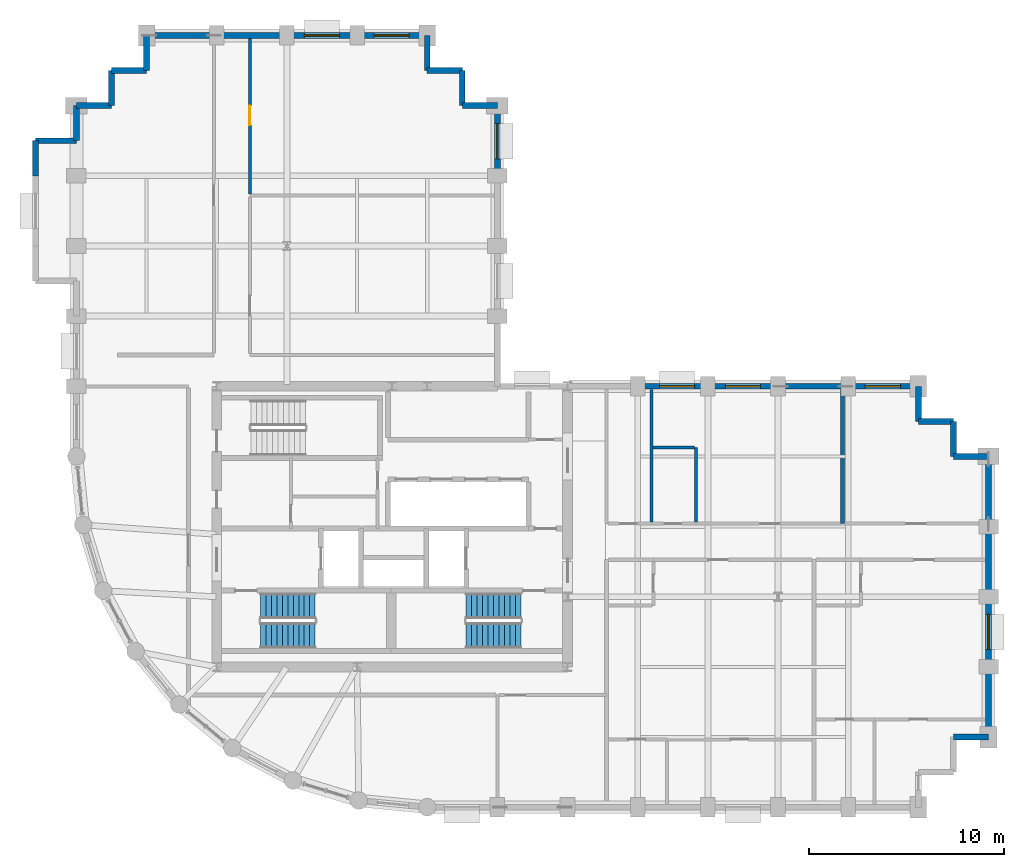
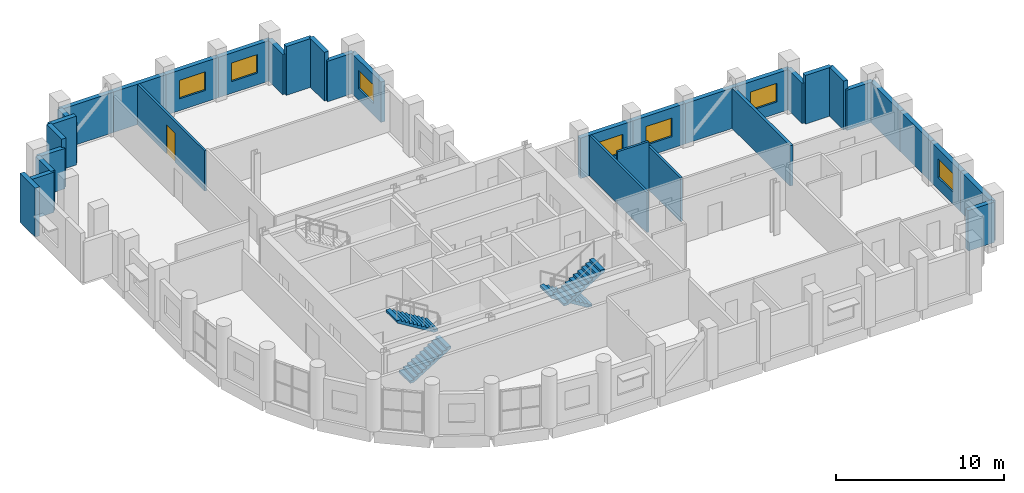
# One storey, part 11 of 14: 34 walls, 7 windows, 4 stair flights, 1 door, 8 openings, 2 elements without a shape of their own.
"""IFC4 building model written with IfcOpenShell, lengths in metres."""

from ifc_helpers import new_model, si_unit, direction, frame, frame_2d, origin, place, context, subcontext, project, spatial, polyline, rectangle, outline, extrude, material, layer, layer_set, type_object, element, fill, aggregate, save


model = new_model("IFC4")

# Units and contexts
model_context = context("Model", 3, precision=1e-05, world=origin(), true_north=direction((0.0, 1.0)))
body_context = subcontext(model_context, "Body", "Model", "MODEL_VIEW")
ifc_project = project(units=[si_unit("LENGTHUNIT", "METRE"), si_unit("AREAUNIT", "SQUARE_METRE"), si_unit("VOLUMEUNIT", "CUBIC_METRE"), si_unit("PLANEANGLEUNIT", "RADIAN"), si_unit("MASSUNIT", "GRAM", prefix="KILO")], contexts=[model_context])

# Site, building, storey
site_placement = place(None, origin())
site = spatial("IfcSite", under=ifc_project, at=site_placement, CompositionType="ELEMENT")
building_placement = place(site_placement, origin())
building = spatial("IfcBuilding", under=site, at=building_placement, Name="Solnavia Interchange Tower", CompositionType="ELEMENT")
storey_placement = place(building_placement, frame((0.0, 0.0, 158.0)))
storey = spatial("IfcBuildingStorey", under=building, at=storey_placement, Name="L39", CompositionType="ELEMENT", Elevation=158.0)

# Walls
ifc_material_1 = material(Name="Gypsum Acoustic Twin-Stud & Mineral Wool", Category="gypsum")
ifc_layer_1 = layer(ifc_material_1, 0.199951171875)
ifc_layer_set_1 = layer_set([ifc_layer_1], Name="Gypsum Acoustic Twin-Stud & Mineral Wool")
wall_type_1 = type_object("IfcWallType", Name="Wall-ApartmentParty-200", PredefinedType="PARTITIONING", material=ifc_layer_set_1)
wall_1_placement = place(storey_placement, frame((46.5, 18.14990234375, 0.0), z_axis=(0.0, 0.0, 1.0), x_axis=(0.0, 1.0, 0.0)))
element("IfcWall", 1, at=wall_1_placement, inside=storey, type_object=wall_type_1, Name="PTW-L39-28 Interior partition wall", PredefinedType="PARTITIONING", context=body_context, shape_type="SweptSolid", body=[
    extrude(rectangle(XDim=6.89599609375, YDim=0.199951171875, at=frame_2d((3.447998046875, 0.0))), origin(), (0.0, 0.0, 1.0), 2.929931640625),
])
ifc_material_2 = material(Name="Concrete C40/50", Category="concrete")
ifc_layer_2 = layer(ifc_material_2, 0.300048828125)
ifc_layer_set_2 = layer_set([ifc_layer_2], Name="Concrete C40/50")
wall_type_2 = type_object("IfcWallType", Name="Wall-ExtSpandrel-300", PredefinedType="STANDARD", material=ifc_layer_set_2)
wall_2_placement = place(storey_placement, frame((54.0, 7.199951171875, 0.0), z_axis=(0.0, 0.0, 1.0), x_axis=(-1.0, 0.0, 0.0)))
element("IfcWall", 2, at=wall_2_placement, inside=storey, type_object=wall_type_2, Name="EXW-L39-11 Exterior precast spandrel wall", PredefinedType="STANDARD", context=body_context, shape_type="SweptSolid", body=[
    extrude(rectangle(XDim=1.800048828125, YDim=0.300048828125, at=frame_2d((0.89990234375, 0.0))), origin(), (0.0, 0.0, 1.0), 2.929931640625),
])
wall_3_placement = place(storey_placement, frame((54.0, 10.800048828125, 0.0), z_axis=(0.0, 0.0, 1.0), x_axis=(0.0, -1.0, 0.0)))
element("IfcWall", 3, at=wall_3_placement, inside=storey, type_object=wall_type_2, Name="EXW-L39-12 Exterior precast spandrel wall", PredefinedType="STANDARD", context=body_context, shape_type="SweptSolid", body=[
    extrude(rectangle(XDim=3.60009765625, YDim=0.300048828125, at=frame_2d((1.800048828125, 0.0))), origin(), (0.0, 0.0, 1.0), 2.929931640625),
])

# Wall, opening, window
wall_4_placement = place(storey_placement, frame((54.0, 14.39990234375, 0.0), z_axis=(0.0, 0.0, 1.0), x_axis=(0.0, -1.0, 0.0)))
wall_4 = element("IfcWall", 4, at=wall_4_placement, inside=storey, type_object=wall_type_2, Name="EXW-L39-13 Exterior precast spandrel wall", PredefinedType="STANDARD", context=body_context, shape_type="SweptSolid", body=[
    extrude(rectangle(XDim=3.599853515625, YDim=0.300048828125, at=frame_2d((1.7998046875, 0.0))), origin(), (0.0, 0.0, 1.0), 2.929931640625),
])
opening_1_placement = place(wall_4_placement, frame((0.89990234375, 0.0, 0.85009765625)))
opening_1 = element("IfcOpeningElement", 5, at=opening_1_placement, cuts=wall_4, Name="Opening WIN-02", PredefinedType="OPENING", context=body_context, shape_type="SweptSolid", body=[
    extrude(rectangle(XDim=1.800048828125, YDim=1.35009765625, at=frame_2d((0.89990234375, 0.675048828125))), frame((0.0, 0.16015625, 0.0), z_axis=(0.0, -1.0, 0.0), x_axis=(1.0, 0.0, 0.0)), (0.0, 0.0, 1.0), 0.320068359375),
])
ifc_material_3 = material(Name="Thermal-Break Aluminium & Low-E Glass", Category="aluminium")
window_type = type_object("IfcWindowType", Name="Window-Ribbon-1800x1350", PartitioningType="SINGLE_PANEL", PredefinedType="WINDOW", material=ifc_material_3)
window_1_placement = place(opening_1_placement, origin())
window_1 = element("IfcWindow", 6, at=window_1_placement, inside=storey, type_object=window_type, Name="WIN-L39-13 Facade ribbon window", OverallHeight=1.35009765625, OverallWidth=1.800048828125, PartitioningType="SINGLE_PANEL", PredefinedType="WINDOW", context=body_context, shape_type="SweptSolid", body=[
    extrude(rectangle(XDim=1.800048828125, YDim=1.35009765625, at=frame_2d((0.89990234375, 0.675048828125))), frame((0.0, 0.030029296875, 0.0), z_axis=(0.0, -1.0, 0.0), x_axis=(1.0, 0.0, 0.0)), (0.0, 0.0, 1.0), 0.06005859375),
])
fill(opening_1, window_1)

# Walls
for number, where, z_axis, x_axis, name in (
    (7, (54.0, 18.0, 0.0), (0.0, 0.0, 1.0), (0.0, -1.0, 0.0), "EXW-L39-14 Exterior precast spandrel wall"),
    (8, (54.0, 21.60009765625, 0.0), (0.0, 0.0, 1.0), (0.0, -1.0, 0.0), "EXW-L39-15 Exterior precast spandrel wall"),
):
    element("IfcWall", number, at=place(storey_placement, frame(where, z_axis=z_axis, x_axis=x_axis)), inside=storey, type_object=wall_type_2, Name=name, PredefinedType="STANDARD", context=body_context, shape_type="SweptSolid", body=[
        extrude(rectangle(XDim=3.60009765625, YDim=0.300048828125, at=frame_2d((1.800048828125, 0.0))), origin(), (0.0, 0.0, 1.0), 2.929931640625),
    ])
wall_5_placement = place(storey_placement, frame((52.199951171875, 21.60009765625, 0.0), z_axis=(0.0, 0.0, 1.0), x_axis=(1.0, 0.0, 0.0)))
element("IfcWall", 9, at=wall_5_placement, inside=storey, type_object=wall_type_2, Name="EXW-L39-16 Exterior precast spandrel wall", PredefinedType="STANDARD", context=body_context, shape_type="SweptSolid", body=[
    extrude(rectangle(XDim=1.800048828125, YDim=0.300048828125, at=frame_2d((0.89990234375, 0.0))), origin(), (0.0, 0.0, 1.0), 2.929931640625),
])
wall_6_placement = place(storey_placement, frame((52.199951171875, 23.39990234375, 0.0), z_axis=(0.0, 0.0, 1.0), x_axis=(0.0, -1.0, 0.0)))
element("IfcWall", 10, at=wall_6_placement, inside=storey, type_object=wall_type_2, Name="EXW-L39-17 Exterior precast spandrel wall", PredefinedType="STANDARD", context=body_context, shape_type="SweptSolid", body=[
    extrude(rectangle(XDim=1.7998046875, YDim=0.300048828125, at=frame_2d((0.89990234375, 0.0))), origin(), (0.0, 0.0, 1.0), 3.534912109375),
])
wall_7_placement = place(storey_placement, frame((50.39990234375, 23.39990234375, 0.0), z_axis=(0.0, 0.0, 1.0), x_axis=(1.0, 0.0, 0.0)))
element("IfcWall", 11, at=wall_7_placement, inside=storey, type_object=wall_type_2, Name="EXW-L39-18 Exterior precast spandrel wall", PredefinedType="STANDARD", context=body_context, shape_type="SweptSolid", body=[
    extrude(rectangle(XDim=1.800048828125, YDim=0.300048828125, at=frame_2d((0.89990234375, 0.0))), origin(), (0.0, 0.0, 1.0), 3.534912109375),
])
wall_8_placement = place(storey_placement, frame((50.39990234375, 25.199951171875, 0.0), z_axis=(0.0, 0.0, 1.0), x_axis=(0.0, -1.0, 0.0)))
element("IfcWall", 12, at=wall_8_placement, inside=storey, type_object=wall_type_2, Name="EXW-L39-19 Exterior precast spandrel wall", PredefinedType="STANDARD", context=body_context, shape_type="SweptSolid", body=[
    extrude(rectangle(XDim=1.800048828125, YDim=0.300048828125, at=frame_2d((0.89990234375, 0.0))), origin(), (0.0, 0.0, 1.0), 2.929931640625),
])

# Wall, opening, window
wall_9_placement = place(storey_placement, frame((46.800048828125, 25.199951171875, 0.0), z_axis=(0.0, 0.0, 1.0), x_axis=(1.0, 0.0, 0.0)))
wall_9 = element("IfcWall", 13, at=wall_9_placement, inside=storey, type_object=wall_type_2, Name="EXW-L39-20 Exterior precast spandrel wall", PredefinedType="STANDARD", context=body_context, shape_type="SweptSolid", body=[
    extrude(rectangle(XDim=3.599853515625, YDim=0.300048828125, at=frame_2d((1.7998046875, 0.0))), origin(), (0.0, 0.0, 1.0), 2.929931640625),
])
opening_2_placement = place(wall_9_placement, frame((0.875, 0.0, 0.85009765625)))
opening_2 = element("IfcOpeningElement", 14, at=opening_2_placement, cuts=wall_9, Name="Opening WIN-02", PredefinedType="OPENING", context=body_context, shape_type="SweptSolid", body=[
    extrude(rectangle(XDim=1.800048828125, YDim=1.35009765625, at=frame_2d((0.89990234375, 0.675048828125))), frame((0.0, 0.16015625, 0.0), z_axis=(0.0, -1.0, 0.0), x_axis=(1.0, 0.0, 0.0)), (0.0, 0.0, 1.0), 0.320068359375),
])
window_2_placement = place(opening_2_placement, origin())
window_2 = element("IfcWindow", 15, at=window_2_placement, inside=storey, type_object=window_type, Name="WIN-L39-20 Facade ribbon window", OverallHeight=1.35009765625, OverallWidth=1.800048828125, PartitioningType="SINGLE_PANEL", PredefinedType="WINDOW", context=body_context, shape_type="SweptSolid", body=[
    extrude(rectangle(XDim=1.800048828125, YDim=1.35009765625, at=frame_2d((0.89990234375, 0.675048828125))), frame((0.0, 0.030029296875, 0.0), z_axis=(0.0, -1.0, 0.0), x_axis=(1.0, 0.0, 0.0)), (0.0, 0.0, 1.0), 0.06005859375),
])
fill(opening_2, window_2)

# Wall
wall_10_placement = place(storey_placement, frame((43.199951171875, 25.199951171875, 0.0), z_axis=(0.0, 0.0, 1.0), x_axis=(1.0, 0.0, 0.0)))
element("IfcWall", 16, at=wall_10_placement, inside=storey, type_object=wall_type_2, Name="EXW-L39-21 Exterior precast spandrel wall", PredefinedType="STANDARD", context=body_context, shape_type="SweptSolid", body=[
    extrude(rectangle(XDim=3.60009765625, YDim=0.300048828125, at=frame_2d((1.800048828125, 0.0))), origin(), (0.0, 0.0, 1.0), 2.929931640625),
])

# Wall, opening, window
wall_11_placement = place(storey_placement, frame((39.60009765625, 25.199951171875, 0.0), z_axis=(0.0, 0.0, 1.0), x_axis=(1.0, 0.0, 0.0)))
wall_11 = element("IfcWall", 17, at=wall_11_placement, inside=storey, type_object=wall_type_2, Name="EXW-L39-22 Exterior precast spandrel wall", PredefinedType="STANDARD", context=body_context, shape_type="SweptSolid", body=[
    extrude(rectangle(XDim=3.599853515625, YDim=0.300048828125, at=frame_2d((1.7998046875, 0.0))), origin(), (0.0, 0.0, 1.0), 2.929931640625),
])
opening_3_placement = place(wall_11_placement, frame((0.89990234375, 0.0, 0.85009765625)))
opening_3 = element("IfcOpeningElement", 18, at=opening_3_placement, cuts=wall_11, Name="Opening WIN-02", PredefinedType="OPENING", context=body_context, shape_type="SweptSolid", body=[
    extrude(rectangle(XDim=1.800048828125, YDim=1.35009765625, at=frame_2d((0.89990234375, 0.675048828125))), frame((0.0, 0.16015625, 0.0), z_axis=(0.0, -1.0, 0.0), x_axis=(1.0, 0.0, 0.0)), (0.0, 0.0, 1.0), 0.320068359375),
])
window_3_placement = place(opening_3_placement, origin())
window_3 = element("IfcWindow", 19, at=window_3_placement, inside=storey, type_object=window_type, Name="WIN-L39-22 Facade ribbon window", OverallHeight=1.35009765625, OverallWidth=1.800048828125, PartitioningType="SINGLE_PANEL", PredefinedType="WINDOW", context=body_context, shape_type="SweptSolid", body=[
    extrude(rectangle(XDim=1.800048828125, YDim=1.35009765625, at=frame_2d((0.89990234375, 0.675048828125))), frame((0.0, 0.030029296875, 0.0), z_axis=(0.0, -1.0, 0.0), x_axis=(1.0, 0.0, 0.0)), (0.0, 0.0, 1.0), 0.06005859375),
])
fill(opening_3, window_3)

wall_12_placement = place(storey_placement, frame((36.0, 25.199951171875, 0.0), z_axis=(0.0, 0.0, 1.0), x_axis=(1.0, 0.0, 0.0)))
wall_12 = element("IfcWall", 20, at=wall_12_placement, inside=storey, type_object=wall_type_2, Name="EXW-L39-23 Exterior precast spandrel wall", PredefinedType="STANDARD", context=body_context, shape_type="SweptSolid", body=[
    extrude(rectangle(XDim=3.60009765625, YDim=0.300048828125, at=frame_2d((1.800048828125, 0.0))), origin(), (0.0, 0.0, 1.0), 2.929931640625),
])
opening_4_placement = place(wall_12_placement, frame((1.1201171875, 0.0, 0.85009765625)))
opening_4 = element("IfcOpeningElement", 21, at=opening_4_placement, cuts=wall_12, Name="Opening WIN-02", PredefinedType="OPENING", context=body_context, shape_type="SweptSolid", body=[
    extrude(rectangle(XDim=1.800048828125, YDim=1.35009765625, at=frame_2d((0.89990234375, 0.675048828125))), frame((0.0, 0.16015625, 0.0), z_axis=(0.0, -1.0, 0.0), x_axis=(1.0, 0.0, 0.0)), (0.0, 0.0, 1.0), 0.320068359375),
])
window_4_placement = place(opening_4_placement, origin())
window_4 = element("IfcWindow", 22, at=window_4_placement, inside=storey, type_object=window_type, Name="WIN-L39-23 Facade ribbon window", OverallHeight=1.35009765625, OverallWidth=1.800048828125, PartitioningType="SINGLE_PANEL", PredefinedType="WINDOW", context=body_context, shape_type="SweptSolid", body=[
    extrude(rectangle(XDim=1.800048828125, YDim=1.35009765625, at=frame_2d((0.89990234375, 0.675048828125))), frame((0.0, 0.030029296875, 0.0), z_axis=(0.0, -1.0, 0.0), x_axis=(1.0, 0.0, 0.0)), (0.0, 0.0, 1.0), 0.06005859375),
])
fill(opening_4, window_4)

wall_13_placement = place(storey_placement, frame((28.800048828125, 39.60009765625, 0.0), z_axis=(0.0, 0.0, 1.0), x_axis=(0.0, -1.0, 0.0)))
wall_13 = element("IfcWall", 23, at=wall_13_placement, inside=storey, type_object=wall_type_2, Name="EXW-L39-29 Exterior precast spandrel wall", PredefinedType="STANDARD", context=body_context, shape_type="SweptSolid", body=[
    extrude(rectangle(XDim=3.60009765625, YDim=0.300048828125, at=frame_2d((1.800048828125, 0.0))), origin(), (0.0, 0.0, 1.0), 2.929931640625),
])
opening_5_placement = place(wall_13_placement, frame((0.925048828125, 0.0, 0.85009765625)))
opening_5 = element("IfcOpeningElement", 24, at=opening_5_placement, cuts=wall_13, Name="Opening WIN-02", PredefinedType="OPENING", context=body_context, shape_type="SweptSolid", body=[
    extrude(rectangle(XDim=1.800048828125, YDim=1.35009765625, at=frame_2d((0.89990234375, 0.675048828125))), frame((0.0, 0.16015625, 0.0), z_axis=(0.0, -1.0, 0.0), x_axis=(1.0, 0.0, 0.0)), (0.0, 0.0, 1.0), 0.320068359375),
])
window_5_placement = place(opening_5_placement, origin())
window_5 = element("IfcWindow", 25, at=window_5_placement, inside=storey, type_object=window_type, Name="WIN-L39-29 Facade ribbon window", OverallHeight=1.35009765625, OverallWidth=1.800048828125, PartitioningType="SINGLE_PANEL", PredefinedType="WINDOW", context=body_context, shape_type="SweptSolid", body=[
    extrude(rectangle(XDim=1.800048828125, YDim=1.35009765625, at=frame_2d((0.89990234375, 0.675048828125))), frame((0.0, 0.030029296875, 0.0), z_axis=(0.0, -1.0, 0.0), x_axis=(1.0, 0.0, 0.0)), (0.0, 0.0, 1.0), 0.06005859375),
])
fill(opening_5, window_5)

# Walls
wall_14_placement = place(storey_placement, frame((27.0, 39.60009765625, 0.0), z_axis=(0.0, 0.0, 1.0), x_axis=(1.0, 0.0, 0.0)))
element("IfcWall", 26, at=wall_14_placement, inside=storey, type_object=wall_type_2, Name="EXW-L39-30 Exterior precast spandrel wall", PredefinedType="STANDARD", context=body_context, shape_type="SweptSolid", body=[
    extrude(rectangle(XDim=1.800048828125, YDim=0.300048828125, at=frame_2d((0.89990234375, 0.0))), origin(), (0.0, 0.0, 1.0), 2.929931640625),
])
wall_15_placement = place(storey_placement, frame((27.0, 39.60009765625, 0.0), z_axis=(0.0, 0.0, 1.0), x_axis=(0.0, 1.0, 0.0)))
element("IfcWall", 27, at=wall_15_placement, inside=storey, type_object=wall_type_2, Name="EXW-L39-31 Exterior precast spandrel wall", PredefinedType="STANDARD", context=body_context, shape_type="SweptSolid", body=[
    extrude(rectangle(XDim=1.7998046875, YDim=0.300048828125, at=frame_2d((0.89990234375, 0.0))), origin(), (0.0, 0.0, 1.0), 3.534912109375),
])
wall_16_placement = place(storey_placement, frame((25.199951171875, 41.39990234375, 0.0), z_axis=(0.0, 0.0, 1.0), x_axis=(1.0, 0.0, 0.0)))
element("IfcWall", 28, at=wall_16_placement, inside=storey, type_object=wall_type_2, Name="EXW-L39-32 Exterior precast spandrel wall", PredefinedType="STANDARD", context=body_context, shape_type="SweptSolid", body=[
    extrude(rectangle(XDim=1.800048828125, YDim=0.300048828125, at=frame_2d((0.89990234375, 0.0))), origin(), (0.0, 0.0, 1.0), 3.534912109375),
])
wall_17_placement = place(storey_placement, frame((25.199951171875, 41.39990234375, 0.0), z_axis=(0.0, 0.0, 1.0), x_axis=(0.0, 1.0, 0.0)))
element("IfcWall", 29, at=wall_17_placement, inside=storey, type_object=wall_type_2, Name="EXW-L39-33 Exterior precast spandrel wall", PredefinedType="STANDARD", context=body_context, shape_type="SweptSolid", body=[
    extrude(rectangle(XDim=1.800048828125, YDim=0.300048828125, at=frame_2d((0.89990234375, 0.0))), origin(), (0.0, 0.0, 1.0), 2.929931640625),
])

# Wall, opening, window
wall_18_placement = place(storey_placement, frame((21.60009765625, 43.199951171875, 0.0), z_axis=(0.0, 0.0, 1.0), x_axis=(1.0, 0.0, 0.0)))
wall_18 = element("IfcWall", 30, at=wall_18_placement, inside=storey, type_object=wall_type_2, Name="EXW-L39-34 Exterior precast spandrel wall", PredefinedType="STANDARD", context=body_context, shape_type="SweptSolid", body=[
    extrude(rectangle(XDim=3.599853515625, YDim=0.300048828125, at=frame_2d((1.7998046875, 0.0))), origin(), (0.0, 0.0, 1.0), 2.929931640625),
])
opening_6_placement = place(wall_18_placement, frame((0.875, 0.0, 0.85009765625)))
opening_6 = element("IfcOpeningElement", 31, at=opening_6_placement, cuts=wall_18, Name="Opening WIN-02", PredefinedType="OPENING", context=body_context, shape_type="SweptSolid", body=[
    extrude(rectangle(XDim=1.800048828125, YDim=1.35009765625, at=frame_2d((0.89990234375, 0.675048828125))), frame((0.0, 0.16015625, 0.0), z_axis=(0.0, -1.0, 0.0), x_axis=(1.0, 0.0, 0.0)), (0.0, 0.0, 1.0), 0.320068359375),
])
window_6_placement = place(opening_6_placement, origin())
window_6 = element("IfcWindow", 32, at=window_6_placement, inside=storey, type_object=window_type, Name="WIN-L39-34 Facade ribbon window", OverallHeight=1.35009765625, OverallWidth=1.800048828125, PartitioningType="SINGLE_PANEL", PredefinedType="WINDOW", context=body_context, shape_type="SweptSolid", body=[
    extrude(rectangle(XDim=1.800048828125, YDim=1.35009765625, at=frame_2d((0.89990234375, 0.675048828125))), frame((0.0, 0.030029296875, 0.0), z_axis=(0.0, -1.0, 0.0), x_axis=(1.0, 0.0, 0.0)), (0.0, 0.0, 1.0), 0.06005859375),
])
fill(opening_6, window_6)

wall_19_placement = place(storey_placement, frame((18.0, 43.199951171875, 0.0), z_axis=(0.0, 0.0, 1.0), x_axis=(1.0, 0.0, 0.0)))
wall_19 = element("IfcWall", 33, at=wall_19_placement, inside=storey, type_object=wall_type_2, Name="EXW-L39-35 Exterior precast spandrel wall", PredefinedType="STANDARD", context=body_context, shape_type="SweptSolid", body=[
    extrude(rectangle(XDim=3.60009765625, YDim=0.300048828125, at=frame_2d((1.800048828125, 0.0))), origin(), (0.0, 0.0, 1.0), 2.929931640625),
])
opening_7_placement = place(wall_19_placement, frame((0.89990234375, 0.0, 0.85009765625)))
opening_7 = element("IfcOpeningElement", 34, at=opening_7_placement, cuts=wall_19, Name="Opening WIN-02", PredefinedType="OPENING", context=body_context, shape_type="SweptSolid", body=[
    extrude(rectangle(XDim=1.800048828125, YDim=1.35009765625, at=frame_2d((0.89990234375, 0.675048828125))), frame((0.0, 0.16015625, 0.0), z_axis=(0.0, -1.0, 0.0), x_axis=(1.0, 0.0, 0.0)), (0.0, 0.0, 1.0), 0.320068359375),
])
window_7_placement = place(opening_7_placement, origin())
window_7 = element("IfcWindow", 35, at=window_7_placement, inside=storey, type_object=window_type, Name="WIN-L39-35 Facade ribbon window", OverallHeight=1.35009765625, OverallWidth=1.800048828125, PartitioningType="SINGLE_PANEL", PredefinedType="WINDOW", context=body_context, shape_type="SweptSolid", body=[
    extrude(rectangle(XDim=1.800048828125, YDim=1.35009765625, at=frame_2d((0.89990234375, 0.675048828125))), frame((0.0, 0.030029296875, 0.0), z_axis=(0.0, -1.0, 0.0), x_axis=(1.0, 0.0, 0.0)), (0.0, 0.0, 1.0), 0.06005859375),
])
fill(opening_7, window_7)

# Walls
wall_20_placement = place(storey_placement, frame((14.39990234375, 43.199951171875, 0.0), z_axis=(0.0, 0.0, 1.0), x_axis=(1.0, 0.0, 0.0)))
element("IfcWall", 36, at=wall_20_placement, inside=storey, type_object=wall_type_2, Name="EXW-L39-36 Exterior precast spandrel wall", PredefinedType="STANDARD", context=body_context, shape_type="SweptSolid", body=[
    extrude(rectangle(XDim=3.60009765625, YDim=0.300048828125, at=frame_2d((1.800048828125, 0.0))), origin(), (0.0, 0.0, 1.0), 2.929931640625),
])
wall_21_placement = place(storey_placement, frame((10.800048828125, 43.199951171875, 0.0), z_axis=(0.0, 0.0, 1.0), x_axis=(1.0, 0.0, 0.0)))
element("IfcWall", 37, at=wall_21_placement, inside=storey, type_object=wall_type_2, Name="EXW-L39-37 Exterior precast spandrel wall", PredefinedType="STANDARD", context=body_context, shape_type="SweptSolid", body=[
    extrude(rectangle(XDim=3.599853515625, YDim=0.300048828125, at=frame_2d((1.7998046875, 0.0))), origin(), (0.0, 0.0, 1.0), 2.929931640625),
])
wall_22_placement = place(storey_placement, frame((10.800048828125, 41.39990234375, 0.0), z_axis=(0.0, 0.0, 1.0), x_axis=(0.0, 1.0, 0.0)))
element("IfcWall", 38, at=wall_22_placement, inside=storey, type_object=wall_type_2, Name="EXW-L39-38 Exterior precast spandrel wall", PredefinedType="STANDARD", context=body_context, shape_type="SweptSolid", body=[
    extrude(rectangle(XDim=1.800048828125, YDim=0.300048828125, at=frame_2d((0.89990234375, 0.0))), origin(), (0.0, 0.0, 1.0), 2.929931640625),
])
wall_23_placement = place(storey_placement, frame((9.0, 41.39990234375, 0.0), z_axis=(0.0, 0.0, 1.0), x_axis=(1.0, 0.0, 0.0)))
element("IfcWall", 39, at=wall_23_placement, inside=storey, type_object=wall_type_2, Name="EXW-L39-39 Exterior precast spandrel wall", PredefinedType="STANDARD", context=body_context, shape_type="SweptSolid", body=[
    extrude(rectangle(XDim=1.800048828125, YDim=0.300048828125, at=frame_2d((0.89990234375, 0.0))), origin(), (0.0, 0.0, 1.0), 3.534912109375),
])
wall_24_placement = place(storey_placement, frame((9.0, 39.60009765625, 0.0), z_axis=(0.0, 0.0, 1.0), x_axis=(0.0, 1.0, 0.0)))
element("IfcWall", 40, at=wall_24_placement, inside=storey, type_object=wall_type_2, Name="EXW-L39-40 Exterior precast spandrel wall", PredefinedType="STANDARD", context=body_context, shape_type="SweptSolid", body=[
    extrude(rectangle(XDim=1.7998046875, YDim=0.300048828125, at=frame_2d((0.89990234375, 0.0))), origin(), (0.0, 0.0, 1.0), 3.534912109375),
])
for number, where, z_axis, x_axis, name in (
    (41, (7.199951171875, 39.60009765625, 0.0), (0.0, 0.0, 1.0), (1.0, 0.0, 0.0), "EXW-L39-41 Exterior precast spandrel wall"),
    (42, (7.199951171875, 37.800048828125, 0.0), (0.0, 0.0, 1.0), (0.0, 1.0, 0.0), "EXW-L39-42 Exterior precast spandrel wall"),
):
    element("IfcWall", number, at=place(storey_placement, frame(where, z_axis=z_axis, x_axis=x_axis)), inside=storey, type_object=wall_type_2, Name=name, PredefinedType="STANDARD", context=body_context, shape_type="SweptSolid", body=[
        extrude(rectangle(XDim=1.800048828125, YDim=0.300048828125, at=frame_2d((0.89990234375, 0.0))), origin(), (0.0, 0.0, 1.0), 2.929931640625),
    ])
wall_25_placement = place(storey_placement, frame((5.10009765625, 37.800048828125, 0.0), z_axis=(0.0, 0.0, 1.0), x_axis=(1.0, 0.0, 0.0)))
element("IfcWall", 43, at=wall_25_placement, inside=storey, type_object=wall_type_2, Name="EXW-L39-43 Exterior precast spandrel wall", PredefinedType="STANDARD", context=body_context, shape_type="SweptSolid", body=[
    extrude(rectangle(XDim=2.099853515625, YDim=0.300048828125, at=frame_2d((1.0498046875, 0.0))), origin(), (0.0, 0.0, 1.0), 2.929931640625),
])
wall_26_placement = place(storey_placement, frame((5.10009765625, 36.0, 0.0), z_axis=(0.0, 0.0, 1.0), x_axis=(0.0, 1.0, 0.0)))
element("IfcWall", 44, at=wall_26_placement, inside=storey, type_object=wall_type_2, Name="EXW-L39-44 Exterior precast spandrel wall", PredefinedType="STANDARD", context=body_context, shape_type="SweptSolid", body=[
    extrude(rectangle(XDim=1.800048828125, YDim=0.300048828125, at=frame_2d((0.89990234375, 0.0))), origin(), (0.0, 0.0, 1.0), 3.534912109375),
])

# Wall, opening, door
ifc_material_4 = material(Name="Gypsum Plasterboard & Steel Stud", Category="steel")
ifc_layer_3 = layer(ifc_material_4, 0.14990234375)
ifc_layer_set_3 = layer_set([ifc_layer_3], Name="Gypsum Plasterboard & Steel Stud")
wall_type_3 = type_object("IfcWallType", Name="Wall-Partition-150", PredefinedType="PARTITIONING", material=ifc_layer_set_3)
wall_27_placement = place(storey_placement, frame((16.10009765625, 35.0791015625, 0.0), z_axis=(0.0, 0.0, 1.0), x_axis=(0.0, 1.0, 0.0)))
wall_27 = element("IfcWall", 45, at=wall_27_placement, inside=storey, type_object=wall_type_3, Name="PTW-L39-36 Interior partition wall", PredefinedType="PARTITIONING", context=body_context, shape_type="SweptSolid", body=[
    extrude(rectangle(XDim=7.966796875, YDim=0.14990234375, at=frame_2d((3.9833984375, 0.0))), origin(), (0.0, 0.0, 1.0), 2.929931640625),
])
opening_8_placement = place(wall_27_placement, frame((3.52099609375, 0.0, 0.0)))
opening_8 = element("IfcOpeningElement", 46, at=opening_8_placement, cuts=wall_27, Name="Opening DR-07", PredefinedType="OPENING", context=body_context, shape_type="SweptSolid", body=[
    extrude(rectangle(XDim=1.0, YDim=2.10009765625, at=frame_2d((0.5, 1.050048828125))), frame((0.0, 0.0849609375, 0.0), z_axis=(0.0, -1.0, 0.0), x_axis=(1.0, 0.0, 0.0)), (0.0, 0.0, 1.0), 0.169921875),
])
ifc_material_5 = material(Name="Timber & Acoustic Glazed Office Door", Category="wood")
door_type = type_object("IfcDoorType", Name="Door-Office-1000x2100", OperationType="SINGLE_SWING_RIGHT", PredefinedType="DOOR", material=ifc_material_5)
door_placement = place(opening_8_placement, origin())
door = element("IfcDoor", 47, at=door_placement, inside=storey, type_object=door_type, Name="DR-L39-17 Interior room door", OperationType="SINGLE_SWING_LEFT", OverallHeight=2.10009765625, OverallWidth=1.0, PredefinedType="DOOR", context=body_context, shape_type="SweptSolid", body=[
    extrude(rectangle(XDim=1.0, YDim=2.10009765625, at=frame_2d((0.5, 1.050048828125))), frame((0.0, 0.02490234375, 0.0), z_axis=(0.0, -1.0, 0.0), x_axis=(1.0, 0.0, 0.0)), (0.0, 0.0, 1.0), 0.050048828125),
])
fill(opening_8, door)

# Walls
ifc_material_6 = material(Name="Moisture-Resistant Gypsum & Steel Stud", Category="steel")
ifc_layer_4 = layer(ifc_material_6, 0.14990234375)
ifc_layer_set_4 = layer_set([ifc_layer_4], Name="Moisture-Resistant Gypsum & Steel Stud")
wall_type_4 = type_object("IfcWallType", Name="Wall-WetRoom-150", PredefinedType="PARTITIONING", material=ifc_layer_set_4)
wall_28_placement = place(storey_placement, frame((36.699951171875, 18.22900390625, 0.0), z_axis=(0.0, 0.0, 1.0), x_axis=(0.0, 1.0, 0.0)))
element("IfcWall", 48, at=wall_28_placement, inside=storey, type_object=wall_type_4, Name="PTW-L39-03 Interior partition wall", PredefinedType="PARTITIONING", context=body_context, shape_type="SweptSolid", body=[
    extrude(rectangle(XDim=6.81689453125, YDim=0.14990234375, at=frame_2d((3.408447265625, 0.0))), origin(), (0.0, 0.0, 1.0), 2.929931640625),
])
wall_29_placement = place(storey_placement, frame((39.0, 18.22900390625, 0.0), z_axis=(0.0, 0.0, 1.0), x_axis=(0.0, 1.0, 0.0)))
element("IfcWall", 49, at=wall_29_placement, inside=storey, type_object=wall_type_4, Name="PTW-L39-05 Interior partition wall", PredefinedType="PARTITIONING", context=body_context, shape_type="SweptSolid", body=[
    extrude(rectangle(XDim=3.821044921875, YDim=0.14990234375, at=frame_2d((1.91064453125, 0.0))), origin(), (0.0, 0.0, 1.0), 3.169921875),
])
wall_30_placement = place(storey_placement, frame((36.779052734375, 22.050048828125, 0.0), z_axis=(0.0, 0.0, 1.0), x_axis=(1.0, 0.0, 0.0)))
element("IfcWall", 50, at=wall_30_placement, inside=storey, type_object=wall_type_4, Name="PTW-L39-06 Interior partition wall", PredefinedType="PARTITIONING", context=body_context, shape_type="SweptSolid", body=[
    extrude(rectangle(XDim=2.141845703125, YDim=0.14990234375, at=frame_2d((1.07080078125, 0.0))), origin(), (0.0, 0.0, 1.0), 3.534912109375),
])

# Stair, stair flights
stair_type = type_object("IfcStairType", Name="Stair-Dogleg-RC", PredefinedType="HALF_TURN_STAIR", material=ifc_material_2)
stair_1_placement = place(storey_placement, origin())
stair_1 = element("IfcStair", 51, at=stair_1_placement, inside=storey, type_object=stair_type, Name="L39 Core exit stair 1", PredefinedType="HALF_TURN_STAIR")
stair_flight_type = type_object("IfcStairFlightType", Name="StairFlight-RC-150", PredefinedType="STRAIGHT", material=ifc_material_2)
stair_flight_1_placement = place(storey_placement, frame((16.64990234375, 12.409912109375, 0.0), z_axis=(0.0, 0.0, 1.0), x_axis=(1.0, 0.0, 0.0)))
stair_flight_1 = element("IfcStairFlight", 52, at=stair_flight_1_placement, type_object=stair_flight_type, Name="ST-1 flight 1", NumberOfRisers=11, NumberOfTreads=10, PredefinedType="STRAIGHT", RiserHeight=0.172727273, TreadLength=0.28, context=body_context, shape_type="SweptSolid", body=[
    extrude(outline(polyline([(0.0, 0.0), (0.0, 0.172607421875), (0.280029296875, 0.172607421875), (0.280029296875, 0.345458984375), (0.56005859375, 0.345458984375), (0.56005859375, 0.51806640625), (0.840087890625, 0.51806640625), (0.840087890625, 0.69091796875), (1.1201171875, 0.69091796875), (1.1201171875, 0.863525390625), (1.39990234375, 0.863525390625), (1.39990234375, 1.036376953125), (1.679931640625, 1.036376953125), (1.679931640625, 1.208984375), (1.9599609375, 1.208984375), (1.9599609375, 1.3818359375), (2.239990234375, 1.3818359375), (2.239990234375, 1.554443359375), (2.52001953125, 1.554443359375), (2.52001953125, 1.727294921875), (2.800048828125, 1.727294921875), (2.800048828125, 1.89990234375), (2.800048828125, 1.551025390625), (0.285400390625, 0.0), (0.0, 0.0)])), frame((0.0, 0.66015625, 0.0), z_axis=(0.0, -1.0, 0.0), x_axis=(1.0, 0.0, 0.0)), (0.0, 0.0, 1.0), 1.320068359375),
])
stair_flight_2_placement = place(storey_placement, frame((19.449951171875, 13.929931640625, 1.89990234375), z_axis=(0.0, 0.0, 1.0), x_axis=(-1.0, 0.0, 0.0)))
stair_flight_2 = element("IfcStairFlight", 53, at=stair_flight_2_placement, type_object=stair_flight_type, Name="ST-1 flight 2", NumberOfRisers=11, NumberOfTreads=10, PredefinedType="STRAIGHT", RiserHeight=0.172727273, TreadLength=0.28, context=body_context, shape_type="SweptSolid", body=[
    extrude(outline(polyline([(0.0, 0.0), (0.0, 0.172607421875), (0.280029296875, 0.172607421875), (0.280029296875, 0.345458984375), (0.56005859375, 0.345458984375), (0.56005859375, 0.51806640625), (0.840087890625, 0.51806640625), (0.840087890625, 0.69091796875), (1.1201171875, 0.69091796875), (1.1201171875, 0.863525390625), (1.39990234375, 0.863525390625), (1.39990234375, 1.036376953125), (1.679931640625, 1.036376953125), (1.679931640625, 1.208984375), (1.9599609375, 1.208984375), (1.9599609375, 1.3818359375), (2.239990234375, 1.3818359375), (2.239990234375, 1.554443359375), (2.52001953125, 1.554443359375), (2.52001953125, 1.727294921875), (2.800048828125, 1.727294921875), (2.800048828125, 1.89990234375), (2.800048828125, 1.551025390625), (0.285400390625, 0.0), (0.0, 0.0)])), frame((0.0, 0.66015625, 0.0), z_axis=(0.0, -1.0, 0.0), x_axis=(1.0, 0.0, 0.0)), (0.0, 0.0, 1.0), 1.320068359375),
])
aggregate(stair_1, [stair_flight_1, stair_flight_2])

stair_2_placement = place(storey_placement, origin())
stair_2 = element("IfcStair", 54, at=stair_2_placement, inside=storey, type_object=stair_type, Name="L39 Core exit stair 2", PredefinedType="HALF_TURN_STAIR")
stair_flight_3_placement = place(storey_placement, frame((30.0, 13.929931640625, 0.0), z_axis=(0.0, 0.0, 1.0), x_axis=(-1.0, 0.0, 0.0)))
stair_flight_3 = element("IfcStairFlight", 55, at=stair_flight_3_placement, type_object=stair_flight_type, Name="ST-2 flight 1", NumberOfRisers=11, NumberOfTreads=10, PredefinedType="STRAIGHT", RiserHeight=0.172727273, TreadLength=0.28, context=body_context, shape_type="SweptSolid", body=[
    extrude(outline(polyline([(0.0, 0.0), (0.0, 0.172607421875), (0.280029296875, 0.172607421875), (0.280029296875, 0.345458984375), (0.56005859375, 0.345458984375), (0.56005859375, 0.51806640625), (0.840087890625, 0.51806640625), (0.840087890625, 0.69091796875), (1.1201171875, 0.69091796875), (1.1201171875, 0.863525390625), (1.39990234375, 0.863525390625), (1.39990234375, 1.036376953125), (1.679931640625, 1.036376953125), (1.679931640625, 1.208984375), (1.9599609375, 1.208984375), (1.9599609375, 1.3818359375), (2.239990234375, 1.3818359375), (2.239990234375, 1.554443359375), (2.52001953125, 1.554443359375), (2.52001953125, 1.727294921875), (2.800048828125, 1.727294921875), (2.800048828125, 1.89990234375), (2.800048828125, 1.551025390625), (0.285400390625, 0.0), (0.0, 0.0)])), frame((0.0, 0.66015625, 0.0), z_axis=(0.0, -1.0, 0.0), x_axis=(1.0, 0.0, 0.0)), (0.0, 0.0, 1.0), 1.320068359375),
])
stair_flight_4_placement = place(storey_placement, frame((27.199951171875, 12.409912109375, 1.89990234375), z_axis=(0.0, 0.0, 1.0), x_axis=(1.0, 0.0, 0.0)))
stair_flight_4 = element("IfcStairFlight", 56, at=stair_flight_4_placement, type_object=stair_flight_type, Name="ST-2 flight 2", NumberOfRisers=11, NumberOfTreads=10, PredefinedType="STRAIGHT", RiserHeight=0.172727273, TreadLength=0.28, context=body_context, shape_type="SweptSolid", body=[
    extrude(outline(polyline([(0.0, 0.0), (0.0, 0.172607421875), (0.280029296875, 0.172607421875), (0.280029296875, 0.345458984375), (0.56005859375, 0.345458984375), (0.56005859375, 0.51806640625), (0.840087890625, 0.51806640625), (0.840087890625, 0.69091796875), (1.1201171875, 0.69091796875), (1.1201171875, 0.863525390625), (1.39990234375, 0.863525390625), (1.39990234375, 1.036376953125), (1.679931640625, 1.036376953125), (1.679931640625, 1.208984375), (1.9599609375, 1.208984375), (1.9599609375, 1.3818359375), (2.239990234375, 1.3818359375), (2.239990234375, 1.554443359375), (2.52001953125, 1.554443359375), (2.52001953125, 1.727294921875), (2.800048828125, 1.727294921875), (2.800048828125, 1.89990234375), (2.800048828125, 1.551025390625), (0.285400390625, 0.0), (0.0, 0.0)])), frame((0.0, 0.66015625, 0.0), z_axis=(0.0, -1.0, 0.0), x_axis=(1.0, 0.0, 0.0)), (0.0, 0.0, 1.0), 1.320068359375),
])
aggregate(stair_2, [stair_flight_3, stair_flight_4])

save(model, "model.ifc")
